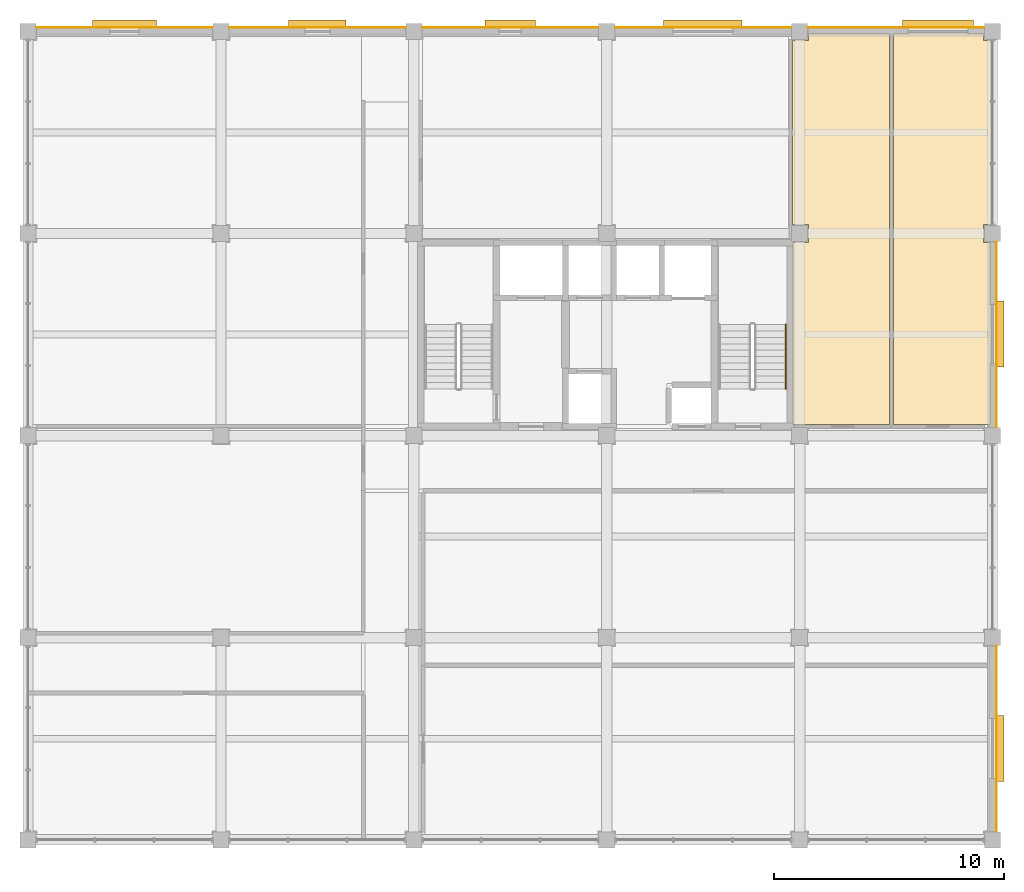
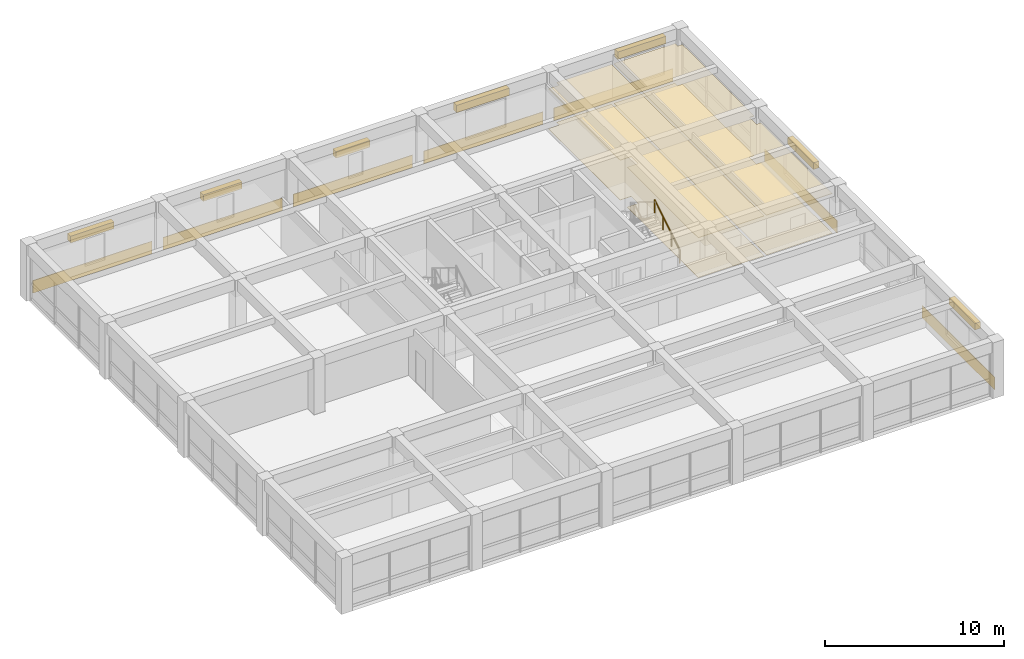
# One storey, part 13 of 13: 11 coverings, 7 shading devices, 1 railing.
"""IFC4 building model written with IfcOpenShell, lengths in metres."""

from ifc_helpers import new_model, si_unit, direction, frame, origin, origin_2d, place, context, subcontext, project, spatial, polyline, rectangle, circle, outline, extrude, material, layer, layer_set, type_object, element, save


model = new_model("IFC4")

# Units and contexts
model_context = context("Model", 3, precision=1e-05, world=origin(), true_north=direction((0.0, 1.0)))
body_context = subcontext(model_context, "Body", "Model", "MODEL_VIEW")
ifc_project = project(units=[si_unit("LENGTHUNIT", "METRE"), si_unit("AREAUNIT", "SQUARE_METRE"), si_unit("VOLUMEUNIT", "CUBIC_METRE"), si_unit("PLANEANGLEUNIT", "RADIAN"), si_unit("MASSUNIT", "GRAM", prefix="KILO")], contexts=[model_context])

# Site, building, storey
site_placement = place(None, origin())
site = spatial("IfcSite", under=ifc_project, at=site_placement, CompositionType="ELEMENT")
building_placement = place(site_placement, origin())
building = spatial("IfcBuilding", under=site, at=building_placement, Name="Kemercrest Conservatory and Botanical Centre", CompositionType="ELEMENT")
storey_placement = place(building_placement, frame((0.0, 0.0, 36.800048828125)))
storey = spatial("IfcBuildingStorey", under=building, at=storey_placement, Name="L09", CompositionType="ELEMENT", Elevation=36.800048828125)

# Coverings
ifc_material_1 = material(Name="Honed limestone almasik ashlar rainscreen", Category="masonry")
ifc_layer_1 = layer(ifc_material_1, 0.0400390625)
ifc_layer_set_1 = layer_set([ifc_layer_1], Name="Honed limestone almasik ashlar rainscreen")
covering_type_1 = type_object("IfcCoveringType", Name="CV-CLD040", PredefinedType="CLADDING", material=ifc_layer_set_1)
covering_1_placement = place(storey_placement, origin())
element("IfcCovering", 1, at=covering_1_placement, inside=storey, type_object=covering_type_1, Name="Exterior stone spandrel cladding (WAL:L09:EXT-286)", PredefinedType="CLADDING", context=body_context, shape_type="SweptSolid", body=[
    extrude(outline(polyline([(176.14990234375, 87.56005859375), (176.18994140625, 87.56005859375), (176.18994140625, 95.639892578125), (176.14990234375, 95.639892578125), (176.14990234375, 87.56005859375)])), origin(), (0.0, 0.0, 1.0), 0.849853515625),
])
covering_2_placement = place(storey_placement, origin())
element("IfcCovering", 2, at=covering_2_placement, inside=storey, type_object=covering_type_1, Name="Exterior stone spandrel cladding (WAL:L09:EXT-287)", PredefinedType="CLADDING", context=body_context, shape_type="SweptSolid", body=[
    extrude(outline(polyline([(176.14990234375, 105.159912109375), (176.18994140625, 105.159912109375), (176.18994140625, 113.239990234375), (176.14990234375, 113.239990234375), (176.14990234375, 105.159912109375)])), origin(), (0.0, 0.0, 1.0), 0.849853515625),
])
covering_3_placement = place(storey_placement, origin())
element("IfcCovering", 3, at=covering_3_placement, inside=storey, type_object=covering_type_1, Name="Exterior stone spandrel cladding (WAL:L09:EXT-288)", PredefinedType="CLADDING", context=body_context, shape_type="SweptSolid", body=[
    extrude(outline(polyline([(175.639892578125, 122.550048828125), (175.639892578125, 122.590087890625), (167.9599609375, 122.590087890625), (167.9599609375, 122.550048828125), (175.639892578125, 122.550048828125)])), origin(), (0.0, 0.0, 1.0), 0.849853515625),
])
covering_4_placement = place(storey_placement, origin())
element("IfcCovering", 4, at=covering_4_placement, inside=storey, type_object=covering_type_1, Name="Exterior stone spandrel cladding (WAL:L09:EXT-289)", PredefinedType="CLADDING", context=body_context, shape_type="SweptSolid", body=[
    extrude(outline(polyline([(167.239990234375, 122.550048828125), (167.239990234375, 122.590087890625), (159.56005859375, 122.590087890625), (159.56005859375, 122.550048828125), (167.239990234375, 122.550048828125)])), origin(), (0.0, 0.0, 1.0), 0.849853515625),
])
covering_5_placement = place(storey_placement, origin())
element("IfcCovering", 5, at=covering_5_placement, inside=storey, type_object=covering_type_1, Name="Exterior stone spandrel cladding (WAL:L09:EXT-290)", PredefinedType="CLADDING", context=body_context, shape_type="SweptSolid", body=[
    extrude(outline(polyline([(158.840087890625, 122.550048828125), (158.840087890625, 122.590087890625), (151.159912109375, 122.590087890625), (151.159912109375, 122.550048828125), (158.840087890625, 122.550048828125)])), origin(), (0.0, 0.0, 1.0), 0.849853515625),
])
covering_6_placement = place(storey_placement, origin())
element("IfcCovering", 6, at=covering_6_placement, inside=storey, type_object=covering_type_1, Name="Exterior stone spandrel cladding (WAL:L09:EXT-291)", PredefinedType="CLADDING", context=body_context, shape_type="SweptSolid", body=[
    extrude(outline(polyline([(150.43994140625, 122.550048828125), (150.43994140625, 122.590087890625), (142.760009765625, 122.590087890625), (142.760009765625, 122.550048828125), (150.43994140625, 122.550048828125)])), origin(), (0.0, 0.0, 1.0), 0.849853515625),
])
covering_7_placement = place(storey_placement, origin())
element("IfcCovering", 7, at=covering_7_placement, inside=storey, type_object=covering_type_1, Name="Exterior stone spandrel cladding (WAL:L09:EXT-292)", PredefinedType="CLADDING", context=body_context, shape_type="SweptSolid", body=[
    extrude(outline(polyline([(142.0400390625, 122.550048828125), (142.0400390625, 122.590087890625), (134.360107421875, 122.590087890625), (134.360107421875, 122.550048828125), (142.0400390625, 122.550048828125)])), origin(), (0.0, 0.0, 1.0), 0.849853515625),
])
ifc_material_2 = material(Name="Perforated acoustic gypsum and mineral-fibre suspended ceiling", Category="gypsum")
ifc_layer_2 = layer(ifc_material_2, 0.034912109375)
ifc_layer_set_2 = layer_set([ifc_layer_2], Name="Perforated acoustic gypsum and mineral-fibre suspended ceiling")
covering_type_2 = type_object("IfcCoveringType", Name="CV-CLG035", PredefinedType="CEILING", material=ifc_layer_set_2)
covering_8_placement = place(storey_placement, frame((0.0, 0.0, 2.699951171875)))
element("IfcCovering", 8, at=covering_8_placement, inside=storey, type_object=covering_type_2, Name="Staff Washroom suspended acoustic ceiling", PredefinedType="CEILING", context=body_context, shape_type="SweptSolid", body=[
    extrude(outline(polyline([(167.280029296875, 105.280029296875), (171.52001953125, 105.280029296875), (171.52001953125, 122.320068359375), (167.989990234375, 122.320068359375), (167.989990234375, 122.010009765625), (167.280029296875, 122.010009765625), (167.280029296875, 113.989990234375), (167.989990234375, 113.989990234375), (167.989990234375, 113.2099609375), (167.280029296875, 113.2099609375), (167.280029296875, 105.280029296875)])), origin(), (0.0, 0.0, 1.0), 0.034912109375),
])
covering_9_placement = place(storey_placement, frame((0.0, 0.0, 2.699951171875)))
element("IfcCovering", 9, at=covering_9_placement, inside=storey, type_object=covering_type_2, Name="Accessible Washroom suspended acoustic ceiling", PredefinedType="CEILING", context=body_context, shape_type="SweptSolid", body=[
    extrude(outline(polyline([(171.679931640625, 105.280029296875), (175.919921875, 105.280029296875), (175.919921875, 113.2099609375), (175.610107421875, 113.2099609375), (175.610107421875, 113.989990234375), (175.919921875, 113.989990234375), (175.919921875, 122.010009765625), (175.610107421875, 122.010009765625), (175.610107421875, 122.320068359375), (171.679931640625, 122.320068359375), (171.679931640625, 105.280029296875)])), origin(), (0.0, 0.0, 1.0), 0.034912109375),
])
ifc_material_3 = material(Name="Polished limestone terrazzo and seamless laboratory epoxy flooring", Category="masonry")
ifc_layer_3 = layer(ifc_material_3, 0.02001953125)
ifc_layer_set_3 = layer_set([ifc_layer_3], Name="Polished limestone terrazzo and seamless laboratory epoxy flooring")
covering_type_3 = type_object("IfcCoveringType", Name="CV-FLR020", PredefinedType="FLOORING", material=ifc_layer_set_3)
covering_10_placement = place(storey_placement, origin())
element("IfcCovering", 10, at=covering_10_placement, inside=storey, type_object=covering_type_3, Name="Staff Washroom floor finish", PredefinedType="FLOORING", context=body_context, shape_type="SweptSolid", body=[
    extrude(outline(polyline([(167.280029296875, 105.280029296875), (171.52001953125, 105.280029296875), (171.52001953125, 122.320068359375), (167.989990234375, 122.320068359375), (167.989990234375, 122.010009765625), (167.280029296875, 122.010009765625), (167.280029296875, 113.989990234375), (167.989990234375, 113.989990234375), (167.989990234375, 113.2099609375), (167.280029296875, 113.2099609375), (167.280029296875, 105.280029296875)])), origin(), (0.0, 0.0, 1.0), 0.02001953125),
])
covering_11_placement = place(storey_placement, origin())
element("IfcCovering", 11, at=covering_11_placement, inside=storey, type_object=covering_type_3, Name="Accessible Washroom floor finish", PredefinedType="FLOORING", context=body_context, shape_type="SweptSolid", body=[
    extrude(outline(polyline([(171.679931640625, 105.280029296875), (175.919921875, 105.280029296875), (175.919921875, 113.2099609375), (175.610107421875, 113.2099609375), (175.610107421875, 113.989990234375), (175.919921875, 113.989990234375), (175.919921875, 122.010009765625), (175.610107421875, 122.010009765625), (175.610107421875, 122.320068359375), (171.679931640625, 122.320068359375), (171.679931640625, 105.280029296875)])), origin(), (0.0, 0.0, 1.0), 0.02001953125),
])

# Railing
ifc_material_4 = material(Name="Brushed stainless steel wall-mounted handrail", Category="steel")
railing_type = type_object("IfcRailingType", Name="HR-STR090", PredefinedType="HANDRAIL", material=ifc_material_4)
railing_placement = place(storey_placement, frame((166.989990234375, 106.840087890625, 0.172607421875)))
element("IfcRailing", 12, at=railing_placement, inside=storey, type_object=railing_type, Name="L09 ST-V4B stair handrail 1", PredefinedType="HANDRAIL", context=body_context, shape_type="SweptSolid", body=[
    extrude(circle(Radius=0.02392578125, at=origin_2d()), frame((0.0, 0.0, 0.8759765625), z_axis=(0.0, 0.851069175582, 0.525053576669), x_axis=(-1.0, 0.0, 0.0)), (0.0, 0.0, 1.0), 3.289794921875),
    extrude(circle(Radius=0.02099609375, at=origin_2d()), origin(), (0.0, 0.0, 1.0), 0.851806640625),
    extrude(circle(Radius=0.02099609375, at=origin_2d()), frame((0.0, 0.933349609375, 0.57568359375)), (0.0, 0.0, 1.0), 0.851806640625),
    extrude(circle(Radius=0.02099609375, at=origin_2d()), frame((0.0, 1.866455078125, 1.151611328125)), (0.0, 0.0, 1.0), 0.851806640625),
    extrude(circle(Radius=0.02099609375, at=origin_2d()), frame((0.0, 2.7998046875, 1.727294921875)), (0.0, 0.0, 1.0), 0.851806640625),
])

# Shading devices
ifc_material_5 = material(Name="Architectural bronze-anodized extruded aluminium", Category="aluminium")
shading_device_type_1 = type_object("IfcShadingDeviceType", Name="SH-JL01", PredefinedType="JALOUSIE", material=ifc_material_5)
shading_device_1_placement = place(storey_placement, frame((155.0, 122.722900390625, 2.35498046875), z_axis=(0.0, 0.0, 1.0), x_axis=(-1.0, 0.0, 0.0)))
element("IfcShadingDevice", 13, at=shading_device_1_placement, inside=storey, type_object=shading_device_type_1, Name="Solar control louvre visor SH-JL01 (WIN:L09:EXT-290)", PredefinedType="JALOUSIE", context=body_context, shape_type="SweptSolid", body=[
    extrude(rectangle(XDim=2.199951171875, YDim=0.35009765625, at=origin_2d()), origin(), (0.0, 0.0, 1.0), 0.449951171875),
])
shading_device_type_2 = type_object("IfcShadingDeviceType", Name="SH-JL02", PredefinedType="JALOUSIE", material=ifc_material_5)
shading_device_2_placement = place(storey_placement, frame((176.322998046875, 91.179931640625, 2.7548828125), z_axis=(0.0, 0.0, 1.0), x_axis=(0.0, 1.0, 0.0)))
element("IfcShadingDevice", 14, at=shading_device_2_placement, inside=storey, type_object=shading_device_type_2, Name="Solar control louvre visor SH-JL02 (WIN:L09:EXT-286)", PredefinedType="JALOUSIE", context=body_context, shape_type="SweptSolid", body=[
    extrude(rectangle(XDim=2.8798828125, YDim=0.35009765625, at=origin_2d()), origin(), (0.0, 0.0, 1.0), 0.449951171875),
])
shading_device_3_placement = place(storey_placement, frame((146.60009765625, 122.722900390625, 2.40478515625), z_axis=(0.0, 0.0, 1.0), x_axis=(-1.0, 0.0, 0.0)))
element("IfcShadingDevice", 15, at=shading_device_3_placement, inside=storey, type_object=shading_device_type_2, Name="Solar control louvre visor SH-JL02 (WIN:L09:EXT-291)", PredefinedType="JALOUSIE", context=body_context, shape_type="SweptSolid", body=[
    extrude(rectangle(XDim=2.5, YDim=0.35009765625, at=origin_2d()), origin(), (0.0, 0.0, 1.0), 0.449951171875),
])
shading_device_type_3 = type_object("IfcShadingDeviceType", Name="SH-JL03", PredefinedType="JALOUSIE", material=ifc_material_5)
shading_device_4_placement = place(storey_placement, frame((176.322998046875, 109.219970703125, 2.7548828125), z_axis=(0.0, 0.0, 1.0), x_axis=(0.0, 1.0, 0.0)))
element("IfcShadingDevice", 16, at=shading_device_4_placement, inside=storey, type_object=shading_device_type_3, Name="Solar control louvre visor SH-JL03 (WIN:L09:EXT-287)", PredefinedType="JALOUSIE", context=body_context, shape_type="SweptSolid", body=[
    extrude(rectangle(XDim=2.8798828125, YDim=0.35009765625, at=origin_2d()), origin(), (0.0, 0.0, 1.0), 0.449951171875),
])
shading_device_5_placement = place(storey_placement, frame((138.199951171875, 122.722900390625, 2.5751953125), z_axis=(0.0, 0.0, 1.0), x_axis=(-1.0, 0.0, 0.0)))
element("IfcShadingDevice", 17, at=shading_device_5_placement, inside=storey, type_object=shading_device_type_3, Name="Solar control louvre visor SH-JL03 (WIN:L09:EXT-292)", PredefinedType="JALOUSIE", context=body_context, shape_type="SweptSolid", body=[
    extrude(rectangle(XDim=2.800048828125, YDim=0.35009765625, at=origin_2d()), origin(), (0.0, 0.0, 1.0), 0.449951171875),
])
shading_device_type_4 = type_object("IfcShadingDeviceType", Name="SH-JL04", PredefinedType="JALOUSIE", material=ifc_material_5)
shading_device_6_placement = place(storey_placement, frame((173.6201171875, 122.722900390625, 2.72998046875), z_axis=(0.0, 0.0, 1.0), x_axis=(-1.0, 0.0, 0.0)))
element("IfcShadingDevice", 18, at=shading_device_6_placement, inside=storey, type_object=shading_device_type_4, Name="Solar control louvre visor SH-JL04 (WIN:L09:EXT-288)", PredefinedType="JALOUSIE", context=body_context, shape_type="SweptSolid", body=[
    extrude(rectangle(XDim=3.10009765625, YDim=0.35009765625, at=origin_2d()), origin(), (0.0, 0.0, 1.0), 0.5),
])
shading_device_type_5 = type_object("IfcShadingDeviceType", Name="SH-JL05", PredefinedType="JALOUSIE", material=ifc_material_5)
shading_device_7_placement = place(storey_placement, frame((163.3798828125, 122.722900390625, 2.72998046875), z_axis=(0.0, 0.0, 1.0), x_axis=(-1.0, 0.0, 0.0)))
element("IfcShadingDevice", 19, at=shading_device_7_placement, inside=storey, type_object=shading_device_type_5, Name="Solar control louvre visor SH-JL05 (WIN:L09:EXT-289)", PredefinedType="JALOUSIE", context=body_context, shape_type="SweptSolid", body=[
    extrude(rectangle(XDim=3.39990234375, YDim=0.35009765625, at=origin_2d()), origin(), (0.0, 0.0, 1.0), 0.5),
])

save(model, "model.ifc")
